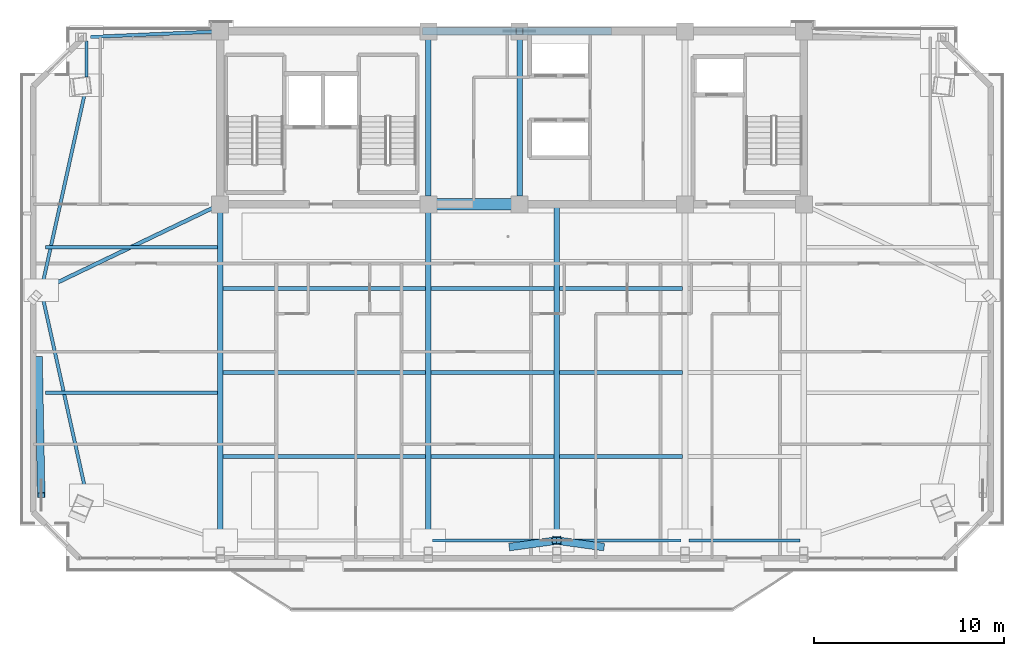
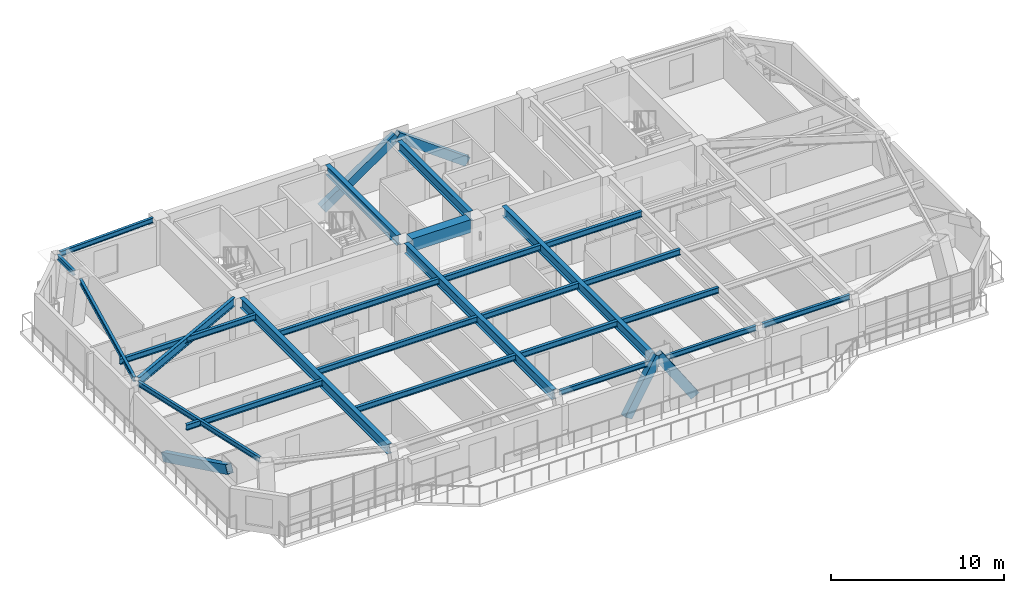
# One storey, part 3 of 15: 25 beams, 5 members.
"""IFC4 building model written with IfcOpenShell, lengths in metres."""

import ifcopenshell
import ifcopenshell.guid

model = None  # the IFC model being written
_history = None  # IfcOwnerHistory: only IFC2X3 demands one
_inside = {}  # id of a spatial element -> (the spatial element, [elements in it])
_under = {}  # id of a project, library or spatial element -> (it, [spatial elements below it])
_declared = {}  # id of a project -> (the project, [libraries it declares])
_typed = {}  # id of a type object -> (the type object, [elements of that type])
_made_of = {}  # id of a material, layer set ... -> (it, [elements and type objects made of it])


def new_model(schema):
    """Start an empty IFC model of exactly this schema.

    Asked for "IFC4X3", IfcOpenShell would pick the latest addendum, in which some entities
    have other attributes; the version numbers below select the first issue.
    IFC2X3 requires an IfcOwnerHistory on every rooted entity: one is made here for all.
    """
    global model, _history
    if schema == "IFC4X3":
        model = ifcopenshell.file(schema_version=(4, 3, 0, 0))
    else:
        model = ifcopenshell.file(schema=schema)
    _inside.clear()
    _under.clear()
    _declared.clear()
    _typed.clear()
    _made_of.clear()
    _history = None
    if model.schema == "IFC2X3":
        org = make("IfcOrganization", Name="unknown")
        user = make(
            "IfcPersonAndOrganization",
            ThePerson=make("IfcPerson", FamilyName="unknown"),
            TheOrganization=org,
        )
        app = make(
            "IfcApplication",
            ApplicationDeveloper=org,
            Version="unknown",
            ApplicationFullName="unknown",
            ApplicationIdentifier="unknown",
        )
        _history = make(
            "IfcOwnerHistory",
            OwningUser=user,
            OwningApplication=app,
            ChangeAction="ADDED",
            CreationDate=0,
        )
    return model


def make(cls, **values):
    """One entity of the class cls with the attributes given. An attribute that is None is left unset."""
    return model.create_entity(
        cls, **{name: value for name, value in values.items() if value is not None}
    )


def rooted(cls, **values):
    """An entity with a GlobalId (a new one), such as an element, a storey or a relation."""
    return make(cls, GlobalId=ifcopenshell.guid.new(), OwnerHistory=_history, **values)


def si_unit(unit_type, name, prefix=None):
    """IfcSIUnit, for example si_unit("LENGTHUNIT", "METRE", prefix="MILLI")."""
    return make("IfcSIUnit", UnitType=unit_type, Prefix=prefix, Name=name)


def assignment(units):
    """IfcUnitAssignment: the units of a project."""
    return None if units is None else make("IfcUnitAssignment", Units=units)


def point(xyz):
    """IfcCartesianPoint."""
    return None if xyz is None else make("IfcCartesianPoint", Coordinates=xyz)


def direction(xyz):
    """IfcDirection."""
    return None if xyz is None else make("IfcDirection", DirectionRatios=xyz)


def frame(location, z_axis=None, x_axis=None):
    """IfcAxis2Placement3D, a coordinate frame: its origin and axes. An axis left out is left unset."""
    return make(
        "IfcAxis2Placement3D",
        Location=point(location),
        Axis=direction(z_axis),
        RefDirection=direction(x_axis),
    )


def frame_2d(location, x_axis=None):
    """IfcAxis2Placement2D, a coordinate frame in the plane: its origin and x axis."""
    return make(
        "IfcAxis2Placement2D", Location=point(location), RefDirection=direction(x_axis)
    )


def origin():
    """The frame at (0, 0, 0) with its axes left unset."""
    return frame((0.0, 0.0, 0.0))


def origin_2d():
    """The frame at (0, 0) in the plane with its x axis left unset."""
    return frame_2d((0.0, 0.0))


def place(relative_to, where):
    """IfcLocalPlacement: puts the frame where relative to a parent placement (None: the world)."""
    return make(
        "IfcLocalPlacement", PlacementRelTo=relative_to, RelativePlacement=where
    )


def context(
    kind, dimensions, precision=None, world=None, true_north=None, identifier=None
):
    """IfcGeometricRepresentationContext, for example the 3D "Model" context."""
    return make(
        "IfcGeometricRepresentationContext",
        ContextIdentifier=identifier,
        ContextType=kind,
        CoordinateSpaceDimension=dimensions,
        Precision=precision,
        WorldCoordinateSystem=world,
        TrueNorth=true_north,
    )


def subcontext(parent, identifier, kind, view, scale=None):
    """IfcGeometricRepresentationSubContext, for example "Body" below "Model"."""
    return make(
        "IfcGeometricRepresentationSubContext",
        ContextIdentifier=identifier,
        ContextType=kind,
        ParentContext=parent,
        TargetScale=scale,
        TargetView=view,
    )


def project(units=None, contexts=None):
    """IfcProject with its units and contexts."""
    return rooted(
        "IfcProject",
        Name="project",
        RepresentationContexts=contexts,
        UnitsInContext=assignment(units),
    )


def spatial(cls, under=None, at=None, **own):
    """A site, building, storey or space (cls), placed at a placement, below another one or the project."""
    s = rooted(cls, ObjectPlacement=at, **own)
    if under is not None:
        _under.setdefault(under.id(), (under, []))[1].append(s)
    return s


def profile(cls, at=None, kind="AREA", **sizes):
    """A parametric profile (cls). Its sizes go by their IFC names, for example OverallWidth=200.0."""
    return make(cls, ProfileType=kind, Position=at, **sizes)


def rectangle(**sizes):
    """IfcRectangleProfileDef."""
    return profile("IfcRectangleProfileDef", **sizes)


def hollow_rectangle(**sizes):
    """IfcRectangleHollowProfileDef."""
    return profile("IfcRectangleHollowProfileDef", **sizes)


def i_section(**sizes):
    """IfcIShapeProfileDef."""
    return profile("IfcIShapeProfileDef", **sizes)


def extrude(swept, where, along, depth):
    """IfcExtrudedAreaSolid: the profile swept, set in the frame where, extruded along a direction by depth."""
    return make(
        "IfcExtrudedAreaSolid",
        SweptArea=swept,
        Position=where,
        ExtrudedDirection=direction(along),
        Depth=depth,
    )


def shape(context_of_items, identifier, shape_type, items):
    """IfcShapeRepresentation: the items that make up one representation, for example the "Body"."""
    return make(
        "IfcShapeRepresentation",
        ContextOfItems=context_of_items,
        RepresentationIdentifier=identifier,
        RepresentationType=shape_type,
        Items=items,
    )


def source(mapping_origin, context_of_items, identifier, shape_type, items):
    """IfcRepresentationMap: a shape defined once, which mapped items show again and again."""
    return make(
        "IfcRepresentationMap",
        MappingOrigin=mapping_origin,
        MappedRepresentation=shape(context_of_items, identifier, shape_type, items),
    )


def transform(
    local_origin,
    x_axis=None,
    y_axis=None,
    z_axis=None,
    scale=None,
    scale2=None,
    scale3=None,
    uniform=True,
):
    """IfcCartesianTransformationOperator3D, or its non-uniform kind. x_axis, y_axis, z_axis: its Axis1, 2, 3."""
    if uniform:
        return make(
            "IfcCartesianTransformationOperator3D",
            Axis1=direction(x_axis),
            Axis2=direction(y_axis),
            LocalOrigin=point(local_origin),
            Scale=scale,
            Axis3=direction(z_axis),
        )
    return make(
        "IfcCartesianTransformationOperator3DnonUniform",
        Axis1=direction(x_axis),
        Axis2=direction(y_axis),
        LocalOrigin=point(local_origin),
        Scale=scale,
        Axis3=direction(z_axis),
        Scale2=scale2,
        Scale3=scale3,
    )


def mapped(mapping_source, mapping_target):
    """IfcMappedItem: shows the shape of a source again, moved by a transform."""
    return make(
        "IfcMappedItem", MappingSource=mapping_source, MappingTarget=mapping_target
    )


def material(Name=None, Category=None):
    """IfcMaterial."""
    return make("IfcMaterial", Name=Name, Category=Category)


def material_profile(
    of_material, cross_section, Name=None, Category=None, Priority=None
):
    """IfcMaterialProfile: a cross section and its material."""
    return make(
        "IfcMaterialProfile",
        Name=Name,
        Material=of_material,
        Profile=cross_section,
        Priority=Priority,
        Category=Category,
    )


def profile_set(profiles, Name=None, composite=None):
    """IfcMaterialProfileSet."""
    return make(
        "IfcMaterialProfileSet",
        Name=Name,
        MaterialProfiles=profiles,
        CompositeProfile=composite,
    )


def made_of(thing, what):
    """Note that an element or type object is made of a material, layer set ...; save() writes the relation."""
    if what is not None:
        _made_of.setdefault(what.id(), (what, []))[1].append(thing)
    return thing


def type_object(cls, material=None, **own):
    """A type object (cls), such as IfcWallType, which elements share."""
    return made_of(rooted(cls, **own), material)


def element(
    cls,
    number,
    at=None,
    inside=None,
    cuts=None,
    type_object=None,
    material=None,
    context=None,
    identifier="Body",
    shape_type=None,
    held_by="IfcProductDefinitionShape",
    body=None,
    shapes=None,
    **own,
):
    """One element of the class cls, such as IfcWall. Its Tag is "e" and its number.

    at: its placement. inside: the storey or other place that contains it. cuts: it is an
    opening in that element (IfcRelVoidsElement). A single representation is given by context,
    identifier, shape_type and body (its items); several are given by shapes. held_by: the class
    of the entity that holds the representations. save() writes the other relations.
    """
    e = rooted(cls, Tag="e%d" % number, ObjectPlacement=at, **own)
    if body is not None:
        shapes = [shape(context, identifier, shape_type, body)]
    if shapes is not None:
        e.Representation = make(held_by, Representations=shapes)
    if inside is not None:
        _inside.setdefault(inside.id(), (inside, []))[1].append(e)
    if cuts is not None:
        rooted(
            "IfcRelVoidsElement", RelatingBuildingElement=cuts, RelatedOpeningElement=e
        )
    if type_object is not None:
        _typed.setdefault(type_object.id(), (type_object, []))[1].append(e)
    return made_of(e, material)


def aggregate(whole, parts):
    """IfcRelAggregates: a whole, such as a stair, and the parts it consists of."""
    return rooted("IfcRelAggregates", RelatingObject=whole, RelatedObjects=parts)


def save(model, path):
    """Write the relations noted so far, then the file.

    IfcRelAggregates (storeys below a building ...), IfcRelContainedInSpatialStructure (elements
    in a storey), IfcRelDefinesByType, IfcRelAssociatesMaterial and IfcRelDeclares: one each for
    every whole, place, type object, material and project.
    """
    for whole, parts in _under.values():
        aggregate(whole, parts)
    for where, things in _inside.values():
        rooted(
            "IfcRelContainedInSpatialStructure",
            RelatedElements=things,
            RelatingStructure=where,
        )
    for kind, things in _typed.values():
        rooted("IfcRelDefinesByType", RelatedObjects=things, RelatingType=kind)
    for what, things in _made_of.values():
        rooted("IfcRelAssociatesMaterial", RelatedObjects=things, RelatingMaterial=what)
    for by, libraries in _declared.values():
        rooted("IfcRelDeclares", RelatingContext=by, RelatedDefinitions=libraries)
    model.write(path)


model = new_model("IFC4")

# Units and contexts
model_context = context("Model", 3, precision=1e-05, world=origin(), true_north=direction((0.0, 1.0)))
body_context = subcontext(model_context, "Body", "Model", "MODEL_VIEW")
ifc_project = project(units=[si_unit("LENGTHUNIT", "METRE"), si_unit("AREAUNIT", "SQUARE_METRE"), si_unit("VOLUMEUNIT", "CUBIC_METRE"), si_unit("PLANEANGLEUNIT", "RADIAN"), si_unit("MASSUNIT", "GRAM", prefix="KILO")], contexts=[model_context])

# Site, building, storey
site_placement = place(None, origin())
site = spatial("IfcSite", under=ifc_project, at=site_placement, CompositionType="ELEMENT")
building_placement = place(site_placement, origin())
building = spatial("IfcBuilding", under=site, at=building_placement, Name="Giltprow Tower", CompositionType="ELEMENT")
storey_placement = place(building_placement, frame((0.0, 0.0, 300.60009765625)))
storey = spatial("IfcBuildingStorey", under=building, at=storey_placement, Name="L77", CompositionType="ELEMENT", Elevation=300.60009765625)

# Beams
ifc_material_1 = material(Name="Structural steel Q355B", Category="steel")
ifc_material_profile_1 = material_profile(ifc_material_1, i_section(OverallWidth=0.199951171875, OverallDepth=0.39990234375, WebThickness=0.008056640625, FlangeThickness=0.012939453125, at=origin_2d()), Name="HN 400x200x8x13")
ifc_profile_set_1 = profile_set([ifc_material_profile_1], Name="Structural steel Q355B")
beam_type_1 = type_object("IfcBeamType", Name="BM-JOIST-HN400", PredefinedType="JOIST", material=ifc_profile_set_1)
shared_shape_1 = source(origin(), body_context, "Body", "SweptSolid", [
    extrude(i_section(OverallWidth=0.199951171875, OverallDepth=0.39990234375, WebThickness=0.008056640625, FlangeThickness=0.012939453125, at=origin_2d()), origin(), (0.0, 0.0, 1.0), 10.659912109375),
])
for number, where, z_axis, x_axis, name in (
    (1, (19.9951171875, 24.19091796875, 2.98486328125), (1.0, 0.0, 0.0), (0.0, 1.0, 0.0), "L77 Composite Floor Joist 1-1"),
    (2, (19.9951171875, 28.611083984375, 2.98486328125), (1.0, 0.0, 0.0), (0.0, 1.0, 0.0), "L77 Composite Floor Joist 2-1"),
    (3, (19.9951171875, 33.031005859375, 2.98486328125), (1.0, 0.0, 0.0), (0.0, 1.0, 0.0), "L77 Composite Floor Joist 3-1"),
):
    element("IfcBeam", number, at=place(storey_placement, frame(where, z_axis=z_axis, x_axis=x_axis)), inside=storey, type_object=beam_type_1, Name=name, PredefinedType="JOIST", context=body_context, shape_type="MappedRepresentation", body=[
        mapped(shared_shape_1, transform((0.0, 0.0, 0.0), x_axis=(1.0, 0.0, 0.0), y_axis=(0.0, 1.0, 0.0), z_axis=(0.0, 0.0, 1.0), scale=1.0)),
    ])
shared_shape_2 = source(origin(), body_context, "Body", "SweptSolid", [
    extrude(i_section(OverallWidth=0.199951171875, OverallDepth=0.39990234375, WebThickness=0.008056640625, FlangeThickness=0.012939453125, at=origin_2d()), origin(), (0.0, 0.0, 1.0), 6.4599609375),
])
for number, where, z_axis, x_axis, name in (
    (4, (30.945068359375, 24.19091796875, 2.98486328125), (1.0, 0.0, 0.0), (0.0, 1.0, 0.0), "L77 Composite Floor Joist 1-2"),
    (5, (37.695068359375, 24.19091796875, 2.98486328125), (1.0, 0.0, 0.0), (0.0, 1.0, 0.0), "L77 Composite Floor Joist 1-3"),
    (6, (30.945068359375, 28.611083984375, 2.98486328125), (1.0, 0.0, 0.0), (0.0, 1.0, 0.0), "L77 Composite Floor Joist 2-2"),
    (7, (37.695068359375, 28.611083984375, 2.98486328125), (1.0, 0.0, 0.0), (0.0, 1.0, 0.0), "L77 Composite Floor Joist 2-3"),
    (8, (30.945068359375, 33.031005859375, 2.98486328125), (1.0, 0.0, 0.0), (0.0, 1.0, 0.0), "L77 Composite Floor Joist 3-2"),
    (9, (37.695068359375, 33.031005859375, 2.98486328125), (1.0, 0.0, 0.0), (0.0, 1.0, 0.0), "L77 Composite Floor Joist 3-3"),
):
    element("IfcBeam", number, at=place(storey_placement, frame(where, z_axis=z_axis, x_axis=x_axis)), inside=storey, type_object=beam_type_1, Name=name, PredefinedType="JOIST", context=body_context, shape_type="MappedRepresentation", body=[
        mapped(shared_shape_2, transform((0.0, 0.0, 0.0), x_axis=(1.0, 0.0, 0.0), y_axis=(0.0, 1.0, 0.0), z_axis=(0.0, 0.0, 1.0), scale=1.0)),
    ])
ifc_material_2 = material(Name="Concrete C50", Category="concrete")
ifc_material_profile_2 = material_profile(ifc_material_2, rectangle(XDim=0.60009765625, YDim=0.89990234375, at=origin_2d()), Name="RC 900x600")
ifc_profile_set_2 = profile_set([ifc_material_profile_2], Name="Concrete C50")
beam_type_2 = type_object("IfcBeamType", Name="BM-CPL-RC900", PredefinedType="LINTEL", material=ifc_profile_set_2)
shared_shape_3 = source(origin(), body_context, "Body", "SweptSolid", [
    extrude(rectangle(XDim=0.60009765625, YDim=0.89990234375, at=origin_2d()), origin(), (0.0, 0.0, 1.0), 3.929931640625),
])
beam_1_placement = place(storey_placement, frame((31.235107421875, 37.449951171875, 2.73486328125), z_axis=(1.0, 0.0, 0.0), x_axis=(0.0, 1.0, 0.0)))
element("IfcBeam", 10, at=beam_1_placement, inside=storey, type_object=beam_type_2, Name="L77 Core Coupling Beam CB-1", PredefinedType="LINTEL", context=body_context, shape_type="MappedRepresentation", body=[
    mapped(shared_shape_3, transform((0.0, 0.0, 0.0), x_axis=(1.0, 0.0, 0.0), y_axis=(0.0, 1.0, 0.0), z_axis=(0.0, 0.0, 1.0), scale=1.0)),
])
ifc_material_profile_3 = material_profile(ifc_material_1, i_section(OverallWidth=0.300048828125, OverallDepth=0.699951171875, WebThickness=0.012939453125, FlangeThickness=0.02392578125, at=origin_2d()), Name="HN 700x300x13x24")
ifc_profile_set_3 = profile_set([ifc_material_profile_3], Name="Structural steel Q355B")
beam_type_3 = type_object("IfcBeamType", Name="BM-GIRD-HN700", PredefinedType="BEAM", material=ifc_profile_set_3)
shared_shape_4 = source(origin(), body_context, "Body", "SweptSolid", [
    extrude(i_section(OverallWidth=0.300048828125, OverallDepth=0.699951171875, WebThickness=0.012939453125, FlangeThickness=0.02392578125, at=origin_2d()), origin(), (0.0, 0.0, 1.0), 8.22998046875),
])
for number, where, z_axis, x_axis, name in (
    (11, (30.800048828125, 37.885009765625, 2.8349609375), (0.0, 1.0, 0.0), (-1.0, 0.0, 0.0), "L77 Core Tie Girder M1"),
    (12, (35.60009765625, 37.885009765625, 2.8349609375), (0.0, 1.0, 0.0), (-1.0, 0.0, 0.0), "L77 Core Tie Girder M2"),
):
    element("IfcBeam", number, at=place(storey_placement, frame(where, z_axis=z_axis, x_axis=x_axis)), inside=storey, type_object=beam_type_3, Name=name, PredefinedType="BEAM", context=body_context, shape_type="MappedRepresentation", body=[
        mapped(shared_shape_4, transform((0.0, 0.0, 0.0), x_axis=(1.0, 0.0, 0.0), y_axis=(0.0, 1.0, 0.0), z_axis=(0.0, 0.0, 1.0), scale=1.0)),
    ])
ifc_material_profile_4 = material_profile(ifc_material_1, i_section(OverallWidth=0.175048828125, OverallDepth=0.35009765625, WebThickness=0.007080078125, FlangeThickness=0.010986328125, at=origin_2d()), Name="HN 350x175x7x11")
ifc_profile_set_4 = profile_set([ifc_material_profile_4], Name="Structural steel Q355B")
beam_type_4 = type_object("IfcBeamType", Name="BM-SPAN-HN350", PredefinedType="SPANDREL", material=ifc_profile_set_4)
shared_shape_5 = source(origin(), body_context, "Body", "SweptSolid", [
    extrude(i_section(OverallWidth=0.175048828125, OverallDepth=0.35009765625, WebThickness=0.007080078125, FlangeThickness=0.010986328125, at=origin_2d()), origin(), (0.0, 0.0, 1.0), 6.330078125),
])
for number, where, z_axis, x_axis, name in (
    (13, (31.010009765625, 19.77197265625, 3.010009765625), (1.0, 0.0, 0.0), (0.0, 1.0, 0.0), "L77 Perimeter Spandrel Beam S2-S_MID"),
    (14, (37.760009765625, 19.77197265625, 3.010009765625), (1.0, 0.0, 0.0), (0.0, 1.0, 0.0), "L77 Perimeter Spandrel Beam S_MID-S3"),
):
    element("IfcBeam", number, at=place(storey_placement, frame(where, z_axis=z_axis, x_axis=x_axis)), inside=storey, type_object=beam_type_4, Name=name, PredefinedType="SPANDREL", context=body_context, shape_type="MappedRepresentation", body=[
        mapped(shared_shape_5, transform((0.0, 0.0, 0.0), x_axis=(1.0, 0.0, 0.0), y_axis=(0.0, 1.0, 0.0), z_axis=(0.0, 0.0, 1.0), scale=1.0)),
    ])
shared_shape_6 = source(origin(), body_context, "Body", "SweptSolid", [
    extrude(i_section(OverallWidth=0.175048828125, OverallDepth=0.35009765625, WebThickness=0.007080078125, FlangeThickness=0.010986328125, at=origin_2d()), origin(), (0.0, 0.0, 1.0), 5.830078125),
])
beam_2_placement = place(storey_placement, frame((44.510009765625, 19.77197265625, 3.010009765625), z_axis=(1.0, 0.0, 0.0), x_axis=(0.0, 1.0, 0.0)))
element("IfcBeam", 15, at=beam_2_placement, inside=storey, type_object=beam_type_4, Name="L77 Perimeter Spandrel Beam S3-S4", PredefinedType="SPANDREL", context=body_context, shape_type="MappedRepresentation", body=[
    mapped(shared_shape_6, transform((0.0, 0.0, 0.0), x_axis=(1.0, 0.0, 0.0), y_axis=(0.0, 1.0, 0.0), z_axis=(0.0, 0.0, 1.0), scale=1.0)),
])
shared_shape_7 = source(origin(), body_context, "Body", "SweptSolid", [
    extrude(i_section(OverallWidth=0.175048828125, OverallDepth=0.35009765625, WebThickness=0.007080078125, FlangeThickness=0.010986328125, at=origin_2d()), origin(), (0.0, 0.0, 1.0), 10.39453125),
])
for number, where, z_axis, x_axis, name in (
    (16, (12.73095703125, 43.2900390625, 3.010009765625), (-0.216062436159, -0.976379548987, 0.0), (0.976379548987, -0.216062436159, 0.0), "L77 Perimeter Spandrel Beam MC_NW-W_MID"),
    (17, (10.485107421875, 32.73095703125, 3.010009765625), (0.216062436159, -0.976379548987, 0.0), (0.976379548987, 0.216062436159, 0.0), "L77 Perimeter Spandrel Beam W_MID-MC_SW"),
):
    element("IfcBeam", number, at=place(storey_placement, frame(where, z_axis=z_axis, x_axis=x_axis)), inside=storey, type_object=beam_type_4, Name=name, PredefinedType="SPANDREL", context=body_context, shape_type="MappedRepresentation", body=[
        mapped(shared_shape_7, transform((0.0, 0.0, 0.0), x_axis=(1.0, 0.0, 0.0), y_axis=(0.0, 1.0, 0.0), z_axis=(0.0, 0.0, 1.0), scale=1.0)),
    ])
shared_shape_8 = source(origin(), body_context, "Body", "SweptSolid", [
    extrude(i_section(OverallWidth=0.175048828125, OverallDepth=0.35009765625, WebThickness=0.007080078125, FlangeThickness=0.010986328125, at=origin_2d()), origin(), (0.0, 0.0, 1.0), 1.89013671875),
])
beam_3_placement = place(storey_placement, frame((12.824951171875, 46.0400390625, 3.010009765625), z_axis=(0.0, -1.0, 0.0), x_axis=(1.0, 0.0, 0.0)))
element("IfcBeam", 18, at=beam_3_placement, inside=storey, type_object=beam_type_4, Name="L77 Perimeter Spandrel Beam N_W-MC_NW", PredefinedType="SPANDREL", context=body_context, shape_type="MappedRepresentation", body=[
    mapped(shared_shape_8, transform((0.0, 0.0, 0.0), x_axis=(1.0, 0.0, 0.0), y_axis=(0.0, 1.0, 0.0), z_axis=(0.0, 0.0, 1.0), scale=1.0)),
])
shared_shape_9 = source(origin(), body_context, "Body", "SweptSolid", [
    extrude(i_section(OverallWidth=0.175048828125, OverallDepth=0.35009765625, WebThickness=0.007080078125, FlangeThickness=0.010986328125, at=origin_2d()), origin(), (0.0, 0.0, 1.0), 6.385986328125),
])
beam_4_placement = place(storey_placement, frame((13.034912109375, 46.259033203125, 3.010009765625), z_axis=(0.999092659166, 0.042589416535, 0.0), x_axis=(-0.042589416535, 0.999092659166, 0.0)))
element("IfcBeam", 19, at=beam_4_placement, inside=storey, type_object=beam_type_4, Name="L77 North Wing Spandrel W", PredefinedType="SPANDREL", context=body_context, shape_type="MappedRepresentation", body=[
    mapped(shared_shape_9, transform((0.0, 0.0, 0.0), x_axis=(1.0, 0.0, 0.0), y_axis=(0.0, 1.0, 0.0), z_axis=(0.0, 0.0, 1.0), scale=1.0)),
])
shared_shape_10 = source(origin(), body_context, "Body", "SweptSolid", [
    extrude(i_section(OverallWidth=0.300048828125, OverallDepth=0.699951171875, WebThickness=0.012939453125, FlangeThickness=0.02392578125, at=origin_2d()), origin(), (0.0, 0.0, 1.0), 17.032958984375),
])
for number, where, z_axis, x_axis, name in (
    (20, (19.85009765625, 19.98193359375, 2.8349609375), (0.0, 1.0, 0.0), (-1.0, 0.0, 0.0), "L77 Primary Lease Girder S1"),
    (21, (30.800048828125, 19.98193359375, 2.8349609375), (0.0, 1.0, 0.0), (-1.0, 0.0, 0.0), "L77 Primary Lease Girder S2"),
):
    element("IfcBeam", number, at=place(storey_placement, frame(where, z_axis=z_axis, x_axis=x_axis)), inside=storey, type_object=beam_type_3, Name=name, PredefinedType="BEAM", context=body_context, shape_type="MappedRepresentation", body=[
        mapped(shared_shape_10, transform((0.0, 0.0, 0.0), x_axis=(1.0, 0.0, 0.0), y_axis=(0.0, 1.0, 0.0), z_axis=(0.0, 0.0, 1.0), scale=1.0)),
    ])
shared_shape_11 = source(origin(), body_context, "Body", "SweptSolid", [
    extrude(i_section(OverallWidth=0.300048828125, OverallDepth=0.699951171875, WebThickness=0.012939453125, FlangeThickness=0.02392578125, at=origin_2d()), origin(), (0.0, 0.0, 1.0), 17.677978515625),
])
beam_5_placement = place(storey_placement, frame((37.550048828125, 19.77197265625, 2.8349609375), z_axis=(0.0, 1.0, 0.0), x_axis=(-1.0, 0.0, 0.0)))
element("IfcBeam", 22, at=beam_5_placement, inside=storey, type_object=beam_type_3, Name="L77 Central Lease Girder SMID", PredefinedType="BEAM", context=body_context, shape_type="MappedRepresentation", body=[
    mapped(shared_shape_11, transform((0.0, 0.0, 0.0), x_axis=(1.0, 0.0, 0.0), y_axis=(0.0, 1.0, 0.0), z_axis=(0.0, 0.0, 1.0), scale=1.0)),
])
ifc_material_profile_5 = material_profile(ifc_material_1, i_section(OverallWidth=0.199951171875, OverallDepth=0.60009765625, WebThickness=0.010986328125, FlangeThickness=0.01708984375, at=origin_2d()), Name="HN 600x200x11x17")
ifc_profile_set_5 = profile_set([ifc_material_profile_5], Name="Structural steel Q355B")
beam_type_5 = type_object("IfcBeamType", Name="BM-GIRD-HN600", PredefinedType="BEAM", material=ifc_profile_set_5)
shared_shape_12 = source(origin(), body_context, "Body", "SweptSolid", [
    extrude(i_section(OverallWidth=0.199951171875, OverallDepth=0.60009765625, WebThickness=0.010986328125, FlangeThickness=0.01708984375, at=origin_2d()), origin(), (0.0, 0.0, 1.0), 9.792236328125),
])
beam_6_placement = place(storey_placement, frame((10.62890625, 33.027099609375, 2.885009765625), z_axis=(0.901646741212, 0.432473298669, 0.0), x_axis=(-0.432473298669, 0.901646741212, 0.0)))
element("IfcBeam", 23, at=beam_6_placement, inside=storey, type_object=beam_type_5, Name="L77 West Wing Primary Girder", PredefinedType="BEAM", context=body_context, shape_type="MappedRepresentation", body=[
    mapped(shared_shape_12, transform((0.0, 0.0, 0.0), x_axis=(1.0, 0.0, 0.0), y_axis=(0.0, 1.0, 0.0), z_axis=(0.0, 0.0, 1.0), scale=1.0)),
])
shared_shape_13 = source(origin(), body_context, "Body", "SweptSolid", [
    extrude(i_section(OverallWidth=0.199951171875, OverallDepth=0.39990234375, WebThickness=0.008056640625, FlangeThickness=0.012939453125, at=origin_2d()), origin(), (0.0, 0.0, 1.0), 9.045166015625),
])
for number, where, z_axis, x_axis, name in (
    (24, (10.659912109375, 27.547119140625, 2.98486328125), (1.0, 0.0, 0.0), (0.0, 1.0, 0.0), "L77 West Wing Floor Joist 1"),
    (25, (10.659912109375, 35.193115234375, 2.98486328125), (1.0, 0.0, 0.0), (0.0, 1.0, 0.0), "L77 West Wing Floor Joist 2"),
):
    element("IfcBeam", number, at=place(storey_placement, frame(where, z_axis=z_axis, x_axis=x_axis)), inside=storey, type_object=beam_type_1, Name=name, PredefinedType="JOIST", context=body_context, shape_type="MappedRepresentation", body=[
        mapped(shared_shape_13, transform((0.0, 0.0, 0.0), x_axis=(1.0, 0.0, 0.0), y_axis=(0.0, 1.0, 0.0), z_axis=(0.0, 0.0, 1.0), scale=1.0)),
    ])

# Members
ifc_material_3 = material(Name="Structural steel Q420GJC", Category="steel")
ifc_material_profile_6 = material_profile(ifc_material_3, hollow_rectangle(XDim=0.39990234375, YDim=0.60009765625, WallThickness=0.028076171875, at=origin_2d()), Name="RHS 600x400x28")
ifc_profile_set_6 = profile_set([ifc_material_profile_6], Name="Structural steel Q420GJC")
member_type = type_object("IfcMemberType", Name="MBR-MEGA-RHS600", PredefinedType="BRACE", material=ifc_profile_set_6)
shared_shape_14 = source(origin(), body_context, "Body", "SweptSolid", [
    extrude(hollow_rectangle(XDim=0.39990234375, YDim=0.60009765625, WallThickness=0.028076171875, at=origin_2d()), origin(), (0.0, 0.0, 1.0), 4.0888671875),
])
for number, where, z_axis, x_axis, name in (
    (26, (35.300048828125, 19.4619140625, 0.0), (0.550288855758, 0.075831906121, 0.831523720192), (-0.13651372484, 0.990638179625, 0.0), "L77 Chevron Mega-Brace S-L"),
    (27, (39.800048828125, 19.4619140625, 0.0), (-0.550288855758, 0.075831906121, 0.831523720192), (-0.13651372484, -0.990638179625, 0.0), "L77 Chevron Mega-Brace S-R"),
):
    element("IfcMember", number, at=place(storey_placement, frame(where, z_axis=z_axis, x_axis=x_axis)), inside=storey, type_object=member_type, Name=name, PredefinedType="BRACE", context=body_context, shape_type="MappedRepresentation", body=[
        mapped(shared_shape_14, transform((0.0, 0.0, 0.0), x_axis=(1.0, 0.0, 0.0), y_axis=(0.0, 1.0, 0.0), z_axis=(0.0, 0.0, 1.0), scale=1.0)),
    ])
shared_shape_15 = source(origin(), body_context, "Body", "SweptSolid", [
    extrude(hollow_rectangle(XDim=0.39990234375, YDim=0.60009765625, WallThickness=0.028076171875, at=origin_2d()), origin(), (0.0, 0.0, 1.0), 5.774169921875),
])
member_1_placement = place(storey_placement, frame((40.26708984375, 46.550048828125, -0.14013671875), z_axis=(-0.808243970451, 0.0, 0.588847759807), x_axis=(0.0, -1.0, 0.0)))
element("IfcMember", 28, at=member_1_placement, inside=storey, type_object=member_type, Name="L77 Chevron Mega-Brace N-R", PredefinedType="BRACE", context=body_context, shape_type="MappedRepresentation", body=[
    mapped(shared_shape_15, transform((0.0, 0.0, 0.0), x_axis=(1.0, 0.0, 0.0), y_axis=(0.0, 1.0, 0.0), z_axis=(0.0, 0.0, 1.0), scale=1.0)),
])
shared_shape_16 = source(origin(), body_context, "Body", "SweptSolid", [
    extrude(hollow_rectangle(XDim=0.39990234375, YDim=0.60009765625, WallThickness=0.028076171875, at=origin_2d()), origin(), (0.0, 0.0, 1.0), 5.991455078125),
])
member_2_placement = place(storey_placement, frame((30.6669921875, 46.550048828125, -0.14013671875), z_axis=(0.823368394688, 0.0, 0.567507256895), x_axis=(0.0, 1.0, 0.0)))
element("IfcMember", 29, at=member_2_placement, inside=storey, type_object=member_type, Name="L77 Chevron Mega-Brace N-L", PredefinedType="BRACE", context=body_context, shape_type="MappedRepresentation", body=[
    mapped(shared_shape_16, transform((0.0, 0.0, 0.0), x_axis=(1.0, 0.0, 0.0), y_axis=(0.0, 1.0, 0.0), z_axis=(0.0, 0.0, 1.0), scale=1.0)),
])
shared_shape_17 = source(origin(), body_context, "Body", "SweptSolid", [
    extrude(hollow_rectangle(XDim=0.39990234375, YDim=0.60009765625, WallThickness=0.028076171875, at=origin_2d()), origin(), (0.0, 0.0, 1.0), 7.937255859375),
])
member_3_placement = place(storey_placement, frame((10.301025390625, 29.327880859375, 0.0), z_axis=(0.017501714817, -0.903445285786, 0.428346011502), x_axis=(0.999812411901, 0.01936855721, 0.0)))
element("IfcMember", 30, at=member_3_placement, inside=storey, type_object=member_type, Name="L77 Chevron Mega-Brace W-D", PredefinedType="BRACE", context=body_context, shape_type="MappedRepresentation", body=[
    mapped(shared_shape_17, transform((0.0, 0.0, 0.0), x_axis=(1.0, 0.0, 0.0), y_axis=(0.0, 1.0, 0.0), z_axis=(0.0, 0.0, 1.0), scale=1.0)),
])

save(model, "model.ifc")
